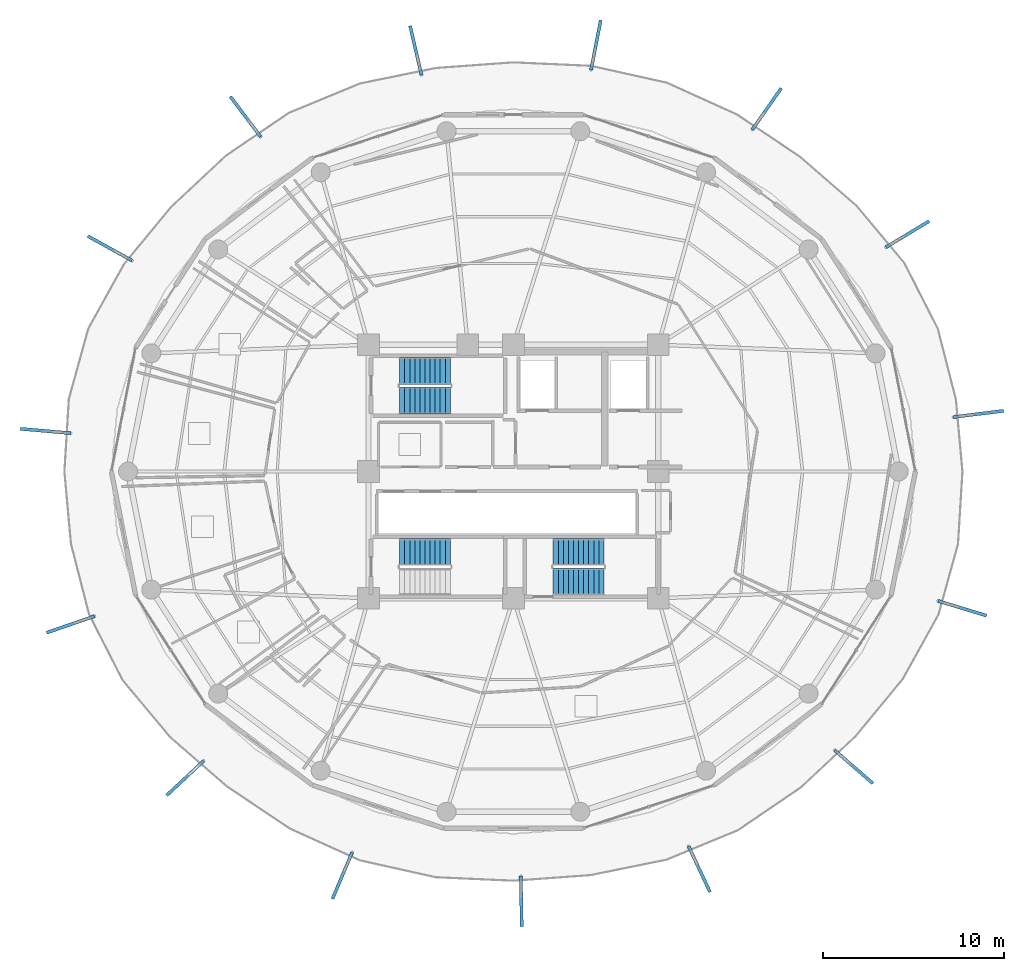
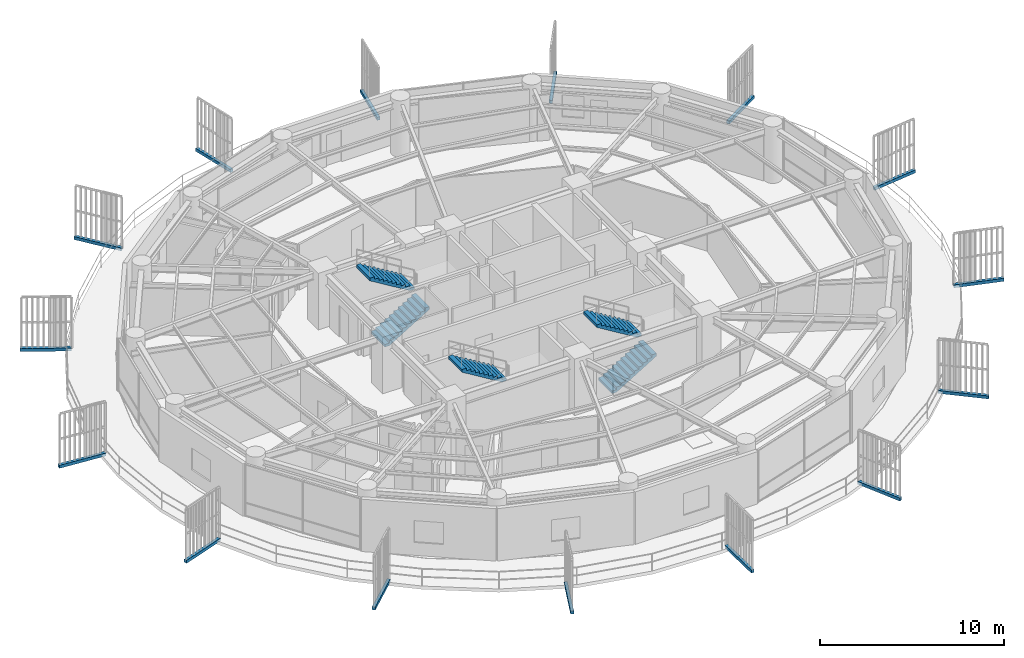
# One storey, part 26 of 30: 15 discrete accessories, 5 stair flights, 3 elements without a shape of their own.
"""IFC4 building model written with IfcOpenShell, lengths in metres."""

from ifc_helpers import new_model, si_unit, direction, frame, origin, origin_2d, place, context, subcontext, project, spatial, polyline, rectangle, outline, extrude, source, transform, mapped, material, type_object, element, aggregate, save


model = new_model("IFC4")

# Units and contexts
model_context = context("Model", 3, precision=1e-05, world=origin(), true_north=direction((0.0, 1.0)))
body_context = subcontext(model_context, "Body", "Model", "MODEL_VIEW")
ifc_project = project(units=[si_unit("LENGTHUNIT", "METRE"), si_unit("AREAUNIT", "SQUARE_METRE"), si_unit("VOLUMEUNIT", "CUBIC_METRE"), si_unit("PLANEANGLEUNIT", "RADIAN"), si_unit("MASSUNIT", "GRAM", prefix="KILO")], contexts=[model_context])

# Site, building, storey
site_placement = place(None, origin())
site = spatial("IfcSite", under=ifc_project, at=site_placement, CompositionType="ELEMENT")
building_placement = place(site_placement, origin())
building = spatial("IfcBuilding", under=site, at=building_placement, Name="Kelanora Arch Commons", CompositionType="ELEMENT")
storey_placement = place(building_placement, frame((0.0, 0.0, 215.699951171875)))
storey = spatial("IfcBuildingStorey", under=building, at=storey_placement, Name="L55", CompositionType="ELEMENT", Elevation=215.699951171875)

# Stair, stair flights
ifc_material_1 = material(Name="Concrete C40/50", Category="concrete")
stair_type = type_object("IfcStairType", Name="STR-DL-375", PredefinedType="HALF_TURN_STAIR", material=ifc_material_1)
stair_1_placement = place(storey_placement, origin())
stair_1 = element("IfcStair", 1, at=stair_1_placement, inside=storey, type_object=stair_type, Name="L55 ST-T1", PredefinedType="HALF_TURN_STAIR")
stair_flight_type = type_object("IfcStairFlightType", Name="FLT-DL-375", PredefinedType="STRAIGHT", material=ifc_material_1)
stair_flight_1_placement = place(storey_placement, frame((67.719970703125, 61.919921875, 0.0), z_axis=(0.0, 0.0, 1.0), x_axis=(1.0, 0.0, 0.0)))
stair_flight_1 = element("IfcStairFlight", 2, at=stair_flight_1_placement, type_object=stair_flight_type, Name="ST-T1 flight 1", NumberOfRisers=11, NumberOfTreads=10, PredefinedType="STRAIGHT", RiserHeight=0.170454545, TreadLength=0.28, context=body_context, shape_type="SweptSolid", body=[
    extrude(outline(polyline([(0.0, 0.0), (0.0, 0.17041015625), (0.280029296875, 0.17041015625), (0.280029296875, 0.3408203125), (0.56005859375, 0.3408203125), (0.56005859375, 0.511474609375), (0.840087890625, 0.511474609375), (0.840087890625, 0.681884765625), (1.1201171875, 0.681884765625), (1.1201171875, 0.852294921875), (1.39990234375, 0.852294921875), (1.39990234375, 1.022705078125), (1.679931640625, 1.022705078125), (1.679931640625, 1.193115234375), (1.9599609375, 1.193115234375), (1.9599609375, 1.363525390625), (2.239990234375, 1.363525390625), (2.239990234375, 1.5341796875), (2.52001953125, 1.5341796875), (2.52001953125, 1.70458984375), (2.800048828125, 1.70458984375), (2.800048828125, 1.875), (2.800048828125, 1.529052734375), (0.288330078125, 0.0), (0.0, 0.0)])), frame((0.0, 0.739990234375, 0.0), z_axis=(0.0, -1.0, 0.0), x_axis=(1.0, 0.0, 0.0)), (0.0, 0.0, 1.0), 1.47998046875),
])
stair_flight_2_placement = place(storey_placement, frame((70.52001953125, 63.550048828125, 1.875), z_axis=(0.0, 0.0, 1.0), x_axis=(-1.0, 0.0, 0.0)))
stair_flight_2 = element("IfcStairFlight", 3, at=stair_flight_2_placement, type_object=stair_flight_type, Name="ST-T1 flight 2", NumberOfRisers=11, NumberOfTreads=10, PredefinedType="STRAIGHT", RiserHeight=0.170454545, TreadLength=0.28, context=body_context, shape_type="SweptSolid", body=[
    extrude(outline(polyline([(0.0, 0.0), (0.0, 0.17041015625), (0.280029296875, 0.17041015625), (0.280029296875, 0.3408203125), (0.56005859375, 0.3408203125), (0.56005859375, 0.511474609375), (0.840087890625, 0.511474609375), (0.840087890625, 0.681884765625), (1.1201171875, 0.681884765625), (1.1201171875, 0.852294921875), (1.39990234375, 0.852294921875), (1.39990234375, 1.022705078125), (1.679931640625, 1.022705078125), (1.679931640625, 1.193115234375), (1.9599609375, 1.193115234375), (1.9599609375, 1.363525390625), (2.239990234375, 1.363525390625), (2.239990234375, 1.5341796875), (2.52001953125, 1.5341796875), (2.52001953125, 1.70458984375), (2.800048828125, 1.70458984375), (2.800048828125, 1.875), (2.800048828125, 1.529052734375), (0.288330078125, 0.0), (0.0, 0.0)])), frame((0.0, 0.739990234375, 0.0), z_axis=(0.0, -1.0, 0.0), x_axis=(1.0, 0.0, 0.0)), (0.0, 0.0, 1.0), 1.47998046875),
])
aggregate(stair_1, [stair_flight_1, stair_flight_2])

stair_2_placement = place(storey_placement, origin())
stair_2 = element("IfcStair", 4, at=stair_2_placement, inside=storey, type_object=stair_type, Name="L55 ST-T2", PredefinedType="HALF_TURN_STAIR")
stair_flight_3_placement = place(storey_placement, frame((76.199951171875, 51.919921875, 0.0), z_axis=(0.0, 0.0, 1.0), x_axis=(1.0, 0.0, 0.0)))
stair_flight_3 = element("IfcStairFlight", 5, at=stair_flight_3_placement, type_object=stair_flight_type, Name="ST-T2 flight 1", NumberOfRisers=11, NumberOfTreads=10, PredefinedType="STRAIGHT", RiserHeight=0.170454545, TreadLength=0.28, context=body_context, shape_type="SweptSolid", body=[
    extrude(outline(polyline([(0.0, 0.0), (0.0, 0.17041015625), (0.280029296875, 0.17041015625), (0.280029296875, 0.3408203125), (0.56005859375, 0.3408203125), (0.56005859375, 0.511474609375), (0.840087890625, 0.511474609375), (0.840087890625, 0.681884765625), (1.1201171875, 0.681884765625), (1.1201171875, 0.852294921875), (1.39990234375, 0.852294921875), (1.39990234375, 1.022705078125), (1.679931640625, 1.022705078125), (1.679931640625, 1.193115234375), (1.9599609375, 1.193115234375), (1.9599609375, 1.363525390625), (2.239990234375, 1.363525390625), (2.239990234375, 1.5341796875), (2.52001953125, 1.5341796875), (2.52001953125, 1.70458984375), (2.800048828125, 1.70458984375), (2.800048828125, 1.875), (2.800048828125, 1.529052734375), (0.288330078125, 0.0), (0.0, 0.0)])), frame((0.0, 0.739990234375, 0.0), z_axis=(0.0, -1.0, 0.0), x_axis=(1.0, 0.0, 0.0)), (0.0, 0.0, 1.0), 1.47998046875),
])
stair_flight_4_placement = place(storey_placement, frame((79.0, 53.550048828125, 1.875), z_axis=(0.0, 0.0, 1.0), x_axis=(-1.0, 0.0, 0.0)))
stair_flight_4 = element("IfcStairFlight", 6, at=stair_flight_4_placement, type_object=stair_flight_type, Name="ST-T2 flight 2", NumberOfRisers=11, NumberOfTreads=10, PredefinedType="STRAIGHT", RiserHeight=0.170454545, TreadLength=0.28, context=body_context, shape_type="SweptSolid", body=[
    extrude(outline(polyline([(0.0, 0.0), (0.0, 0.17041015625), (0.280029296875, 0.17041015625), (0.280029296875, 0.3408203125), (0.56005859375, 0.3408203125), (0.56005859375, 0.511474609375), (0.840087890625, 0.511474609375), (0.840087890625, 0.681884765625), (1.1201171875, 0.681884765625), (1.1201171875, 0.852294921875), (1.39990234375, 0.852294921875), (1.39990234375, 1.022705078125), (1.679931640625, 1.022705078125), (1.679931640625, 1.193115234375), (1.9599609375, 1.193115234375), (1.9599609375, 1.363525390625), (2.239990234375, 1.363525390625), (2.239990234375, 1.5341796875), (2.52001953125, 1.5341796875), (2.52001953125, 1.70458984375), (2.800048828125, 1.70458984375), (2.800048828125, 1.875), (2.800048828125, 1.529052734375), (0.288330078125, 0.0), (0.0, 0.0)])), frame((0.0, 0.739990234375, 0.0), z_axis=(0.0, -1.0, 0.0), x_axis=(1.0, 0.0, 0.0)), (0.0, 0.0, 1.0), 1.47998046875),
])
aggregate(stair_2, [stair_flight_3, stair_flight_4])

# Stair, stair flight
stair_3_placement = place(storey_placement, origin())
stair_3 = element("IfcStair", 7, at=stair_3_placement, inside=storey, type_object=stair_type, Name="L55 ST-T3", PredefinedType="HALF_TURN_STAIR")
stair_flight_5_placement = place(storey_placement, frame((70.52001953125, 53.550048828125, 1.875), z_axis=(0.0, 0.0, 1.0), x_axis=(-1.0, 0.0, 0.0)))
stair_flight_5 = element("IfcStairFlight", 8, at=stair_flight_5_placement, type_object=stair_flight_type, Name="ST-T3 flight 2", NumberOfRisers=11, NumberOfTreads=10, PredefinedType="STRAIGHT", RiserHeight=0.170454545, TreadLength=0.28, context=body_context, shape_type="SweptSolid", body=[
    extrude(outline(polyline([(0.0, 0.0), (0.0, 0.17041015625), (0.280029296875, 0.17041015625), (0.280029296875, 0.3408203125), (0.56005859375, 0.3408203125), (0.56005859375, 0.511474609375), (0.840087890625, 0.511474609375), (0.840087890625, 0.681884765625), (1.1201171875, 0.681884765625), (1.1201171875, 0.852294921875), (1.39990234375, 0.852294921875), (1.39990234375, 1.022705078125), (1.679931640625, 1.022705078125), (1.679931640625, 1.193115234375), (1.9599609375, 1.193115234375), (1.9599609375, 1.363525390625), (2.239990234375, 1.363525390625), (2.239990234375, 1.5341796875), (2.52001953125, 1.5341796875), (2.52001953125, 1.70458984375), (2.800048828125, 1.70458984375), (2.800048828125, 1.875), (2.800048828125, 1.529052734375), (0.288330078125, 0.0), (0.0, 0.0)])), frame((0.0, 0.739990234375, 0.0), z_axis=(0.0, -1.0, 0.0), x_axis=(1.0, 0.0, 0.0)), (0.0, 0.0, 1.0), 1.47998046875),
])
aggregate(stair_3, [stair_flight_5])

# Discrete accessories
ifc_material_2 = material(Name="Stainless steel 316 marine fin bracket", Category="steel")
discrete_accessory_type = type_object("IfcDiscreteAccessoryType", Name="ACC-FIN-BRK", PredefinedType="BRACKET", material=ifc_material_2)
shared_shape = source(origin(), body_context, "Body", "SweptSolid", [
    extrude(rectangle(XDim=2.7900390625, YDim=0.179931640625, at=origin_2d()), origin(), (0.0, 0.0, 1.0), 0.199951171875),
])
for number, where, z_axis, x_axis, name in (
    (9, (92.796142578125, 41.69140625, -0.16015625), (0.0, 0.0, 1.0), (0.755281812285, -0.655400170912, 0.0), "Sweeping Fin Cantilever Spine Bracket L55-00"),
    (10, (98.78759765625, 50.44677734375, -0.16015625), (0.0, 0.0, 1.0), (0.956559534241, -0.29153706017, 0.0), "Sweeping Fin Cantilever Spine Bracket L55-01"),
    (11, (99.687744140625, 61.17822265625, -0.16015625), (0.0, 0.0, 1.0), (0.992439422656, 0.122735456807, 0.0), "Sweeping Fin Cantilever Spine Bracket L55-02"),
    (12, (95.768310546875, 71.107177734375, -0.16015625), (0.0, 0.0, 1.0), (0.856717518865, 0.515785898285, 0.0), "Sweeping Fin Cantilever Spine Bracket L55-03"),
    (13, (87.993896484375, 78.024658203125, -0.16015625), (0.0, 0.0, 1.0), (0.572861373028, 0.819652272182, 0.0), "Sweeping Fin Cantilever Spine Bracket L55-04"),
    (14, (78.554443359375, 81.54638671875, -0.16015625), (0.0, 0.0, 1.0), (0.189952291512, 0.981793321911, 0.0), "Sweeping Fin Cantilever Spine Bracket L55-05"),
    (15, (68.608154296875, 81.256103515625, -0.16015625), (0.0, 0.0, 1.0), (-0.225801266869, 0.97417338697, 0.0), "Sweeping Fin Cantilever Spine Bracket L55-06"),
    (16, (59.205810546875, 77.5947265625, -0.16015625), (0.0, 0.0, 1.0), (-0.602511734868, 0.798110023334, 0.0), "Sweeping Fin Cantilever Spine Bracket L55-07"),
    (17, (51.718017578125, 70.32421875, -0.16015625), (0.0, 0.0, 1.0), (-0.875042450261, 0.484046186062, 0.0), "Sweeping Fin Cantilever Spine Bracket L55-08"),
    (18, (48.16357421875, 60.236328125, -0.16015625), (0.0, 0.0, 1.0), (-0.996270376493, 0.086286365798, 0.0), "Sweeping Fin Cantilever Spine Bracket L55-09"),
    (19, (49.54541015625, 49.55419921875, -0.16015625), (0.0, 0.0, 1.0), (-0.945234103797, -0.326393150999, 0.0), "Sweeping Fin Cantilever Spine Bracket L55-10"),
    (20, (55.875, 41.06689453125, -0.16015625), (0.0, 0.0, 1.0), (-0.730758267372, -0.6826363268, 0.0), "Sweeping Fin Cantilever Spine Bracket L55-11"),
    (21, (64.551025390625, 35.68212890625, -0.16015625), (0.0, 0.0, 1.0), (-0.389927687788, -0.920845480141, 0.0), "Sweeping Fin Cantilever Spine Bracket L55-12"),
    (22, (74.436279296875, 34.25927734375, -0.16015625), (0.0, 0.0, 1.0), (0.018324931396, -0.999832084347, 0.0), "Sweeping Fin Cantilever Spine Bracket L55-13"),
    (23, (84.263427734375, 36.042724609375, -0.16015625), (0.0, 0.0, 1.0), (0.423409003465, -0.90593863798, 0.0), "Sweeping Fin Cantilever Spine Bracket L55-14"),
):
    element("IfcDiscreteAccessory", number, at=place(storey_placement, frame(where, z_axis=z_axis, x_axis=x_axis)), inside=storey, type_object=discrete_accessory_type, Name=name, PredefinedType="BRACKET", context=body_context, shape_type="MappedRepresentation", body=[
        mapped(shared_shape, transform((0.0, 0.0, 0.0), scale=1.0)),
    ])

save(model, "model.ifc")
